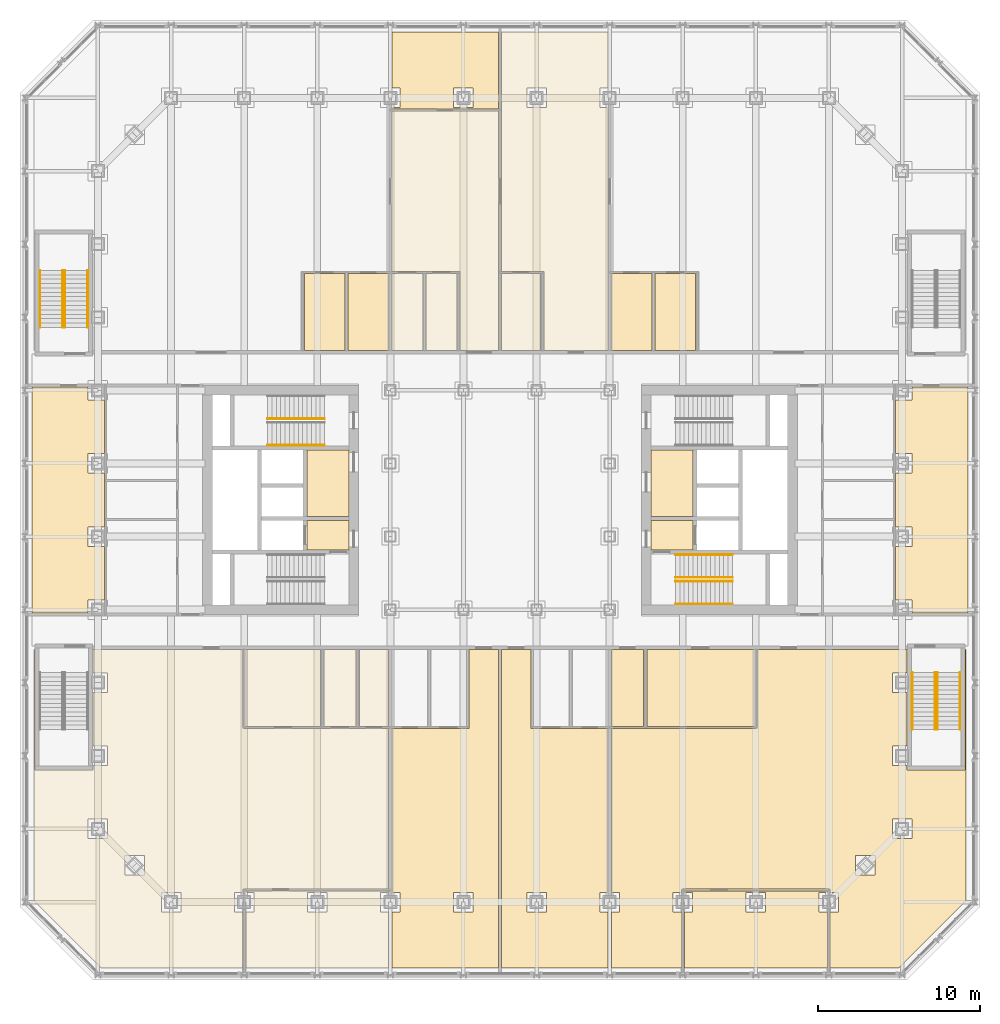
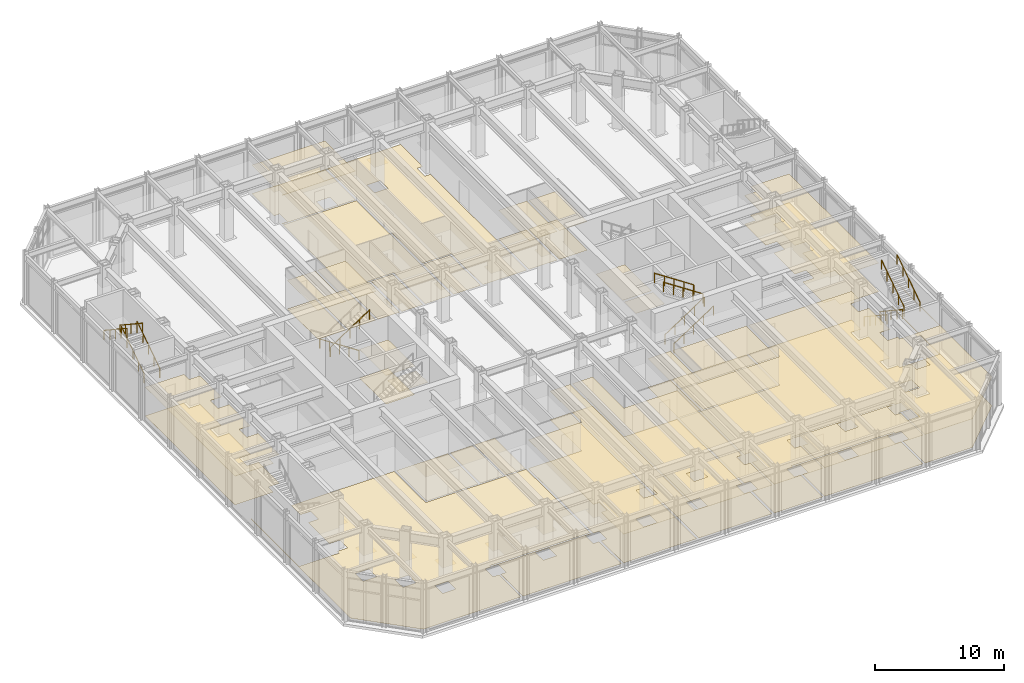
# One storey, part 18 of 19: 14 railings, 3 coverings.
"""IFC4 building model written with IfcOpenShell, lengths in metres."""

from ifc_helpers import new_model, si_unit, direction, frame, origin, origin_2d, place, context, subcontext, project, spatial, line, indexed_curve, circle, outline, extrude, material, layer, layer_set, type_object, element, save


model = new_model("IFC4")

# Units and contexts
model_context = context("Model", 3, precision=1e-05, world=origin(), true_north=direction((0.0, 1.0)))
body_context = subcontext(model_context, "Body", "Model", "MODEL_VIEW")
ifc_project = project(units=[si_unit("LENGTHUNIT", "METRE"), si_unit("AREAUNIT", "SQUARE_METRE"), si_unit("VOLUMEUNIT", "CUBIC_METRE"), si_unit("PLANEANGLEUNIT", "RADIAN"), si_unit("MASSUNIT", "GRAM", prefix="KILO")], contexts=[model_context])

# Site, building, storey
site_placement = place(None, origin())
site = spatial("IfcSite", under=ifc_project, at=site_placement, CompositionType="ELEMENT")
building_placement = place(site_placement, origin())
building = spatial("IfcBuilding", under=site, at=building_placement, Name="Msasa Ring Tower", CompositionType="ELEMENT")
storey_placement = place(building_placement, frame((0.0, 0.0, 11.0)))
storey = spatial("IfcBuildingStorey", under=building, at=storey_placement, Name="L02", CompositionType="ELEMENT", Elevation=11.0)

# Coverings
ifc_material_1 = material(Name="Gypsum plasterboard on a steel suspension grid", Category="steel")
ifc_layer_1 = layer(ifc_material_1, 0.014892578125)
ifc_layer_set_1 = layer_set([ifc_layer_1], Name="C1 SUSPENDED PLASTERBOARD CEILING 15")
covering_type_1 = type_object("IfcCoveringType", Name="C1 SUSPENDED PLASTERBOARD CEILING 15", PredefinedType="CEILING", material=ifc_layer_set_1)
covering_1_placement = place(storey_placement, frame((0.0, 0.0, 2.39990234375)))
element("IfcCovering", 1, at=covering_1_placement, inside=storey, type_object=covering_type_1, Name="Suspended Plasterboard Ceiling 15 circulation L02", PredefinedType="CEILING", context=body_context, shape_type="SweptSolid", body=[
    extrude(outline(indexed_curve([(-9.300537109375, -1.275390625), (-9.300537109375, -3.074462890625), (-11.87451171875, -3.074462890625), (-11.87451171875, -1.275390625)], segments=[line(1, 2, 3, 4, 1)], self_intersect=False)), origin(), (0.0, 0.0, 1.0), 0.01513671875),
    extrude(outline(indexed_curve([(11.87451171875, -3.074462890625), (9.300537109375, -3.074462890625), (9.300537109375, -1.275390625), (11.87451171875, -1.275390625)], segments=[line(1, 2, 3, 4, 1)], self_intersect=False)), origin(), (0.0, 0.0, 1.0), 0.01513671875),
    extrude(outline(indexed_curve([(11.87451171875, -1.0244140625), (9.300537109375, -1.0244140625), (9.300537109375, 3.074462890625), (11.87451171875, 3.074462890625)], segments=[line(1, 2, 3, 4, 1)], self_intersect=False)), origin(), (0.0, 0.0, 1.0), 0.01513671875),
])
ifc_material_2 = material(Name="Mineral fibre ceiling tiles on an exposed steel grid", Category="steel")
ifc_layer_2 = layer(ifc_material_2, 0.02001953125)
ifc_layer_set_2 = layer_set([ifc_layer_2], Name="C3 ACOUSTIC MINERAL FIBRE TILE CEILING 20")
covering_type_2 = type_object("IfcCoveringType", Name="C3 ACOUSTIC MINERAL FIBRE TILE CEILING 20", PredefinedType="CEILING", material=ifc_layer_set_2)
covering_2_placement = place(storey_placement, frame((0.0, 0.0, 2.699951171875)))
element("IfcCovering", 2, at=covering_2_placement, inside=storey, type_object=covering_type_2, Name="Acoustic Mineral Fibre Tile Ceiling 20 L02", PredefinedType="CEILING", context=body_context, shape_type="SweptSolid", body=[
    extrude(outline(indexed_curve([(-24.3505859375, 2.8505859375), (-25.3505859375, 2.8505859375), (-25.3505859375, 1.6494140625), (-24.3505859375, 1.6494140625), (-24.3505859375, -1.6494140625), (-25.3505859375, -1.6494140625), (-25.3505859375, -2.8505859375), (-24.3505859375, -2.8505859375), (-24.3505859375, -6.1494140625), (-25.3505859375, -6.1494140625), (-25.3505859375, -6.949462890625), (-28.799560546875, -6.949462890625), (-28.799560546875, 6.949462890625), (-25.3505859375, 6.949462890625), (-25.3505859375, 6.1494140625), (-24.3505859375, 6.1494140625)], segments=[line(1, 2, 3, 4, 5, 6, 7, 8, 9, 10, 11, 12, 13, 14, 15, 16, 1)], self_intersect=False)), origin(), (0.0, 0.0, 1.0), 0.02001953125),
    extrude(outline(indexed_curve([(-12.049560546875, 13.939453125), (-9.550537109375, 13.939453125), (-9.550537109375, 9.200439453125), (-12.049560546875, 9.200439453125)], segments=[line(1, 2, 3, 4, 1)], self_intersect=False)), origin(), (0.0, 0.0, 1.0), 0.02001953125),
    extrude(outline(indexed_curve([(-11.87451171875, 3.074462890625), (-9.300537109375, 3.074462890625), (-9.300537109375, -1.0244140625), (-11.87451171875, -1.0244140625)], segments=[line(1, 2, 3, 4, 1)], self_intersect=False)), origin(), (0.0, 0.0, 1.0), 0.02001953125),
    extrude(outline(indexed_curve([(-9.349609375, 13.939453125), (-6.8505859375, 13.939453125), (-6.8505859375, 9.200439453125), (-9.349609375, 9.200439453125)], segments=[line(1, 2, 3, 4, 1)], self_intersect=False)), origin(), (0.0, 0.0, 1.0), 0.02001953125),
    extrude(outline(indexed_curve([(-6.6494140625, 24.060546875), (-6.6494140625, 24.1494140625), (-6.1494140625, 24.1494140625), (-6.1494140625, 25.3505859375), (-6.6494140625, 25.3505859375), (-6.6494140625, 28.799560546875), (-0.1005859375, 28.799560546875), (-0.1005859375, 24.060546875)], segments=[line(1, 2, 3, 4, 5, 6, 7, 8, 1)], self_intersect=False), holes=[indexed_curve([(-1.6494140625, 24.1494140625), (-1.6494140625, 25.3505859375), (-2.8505859375, 25.3505859375), (-2.8505859375, 24.1494140625)], segments=[line(1, 2, 3, 4, 1)], self_intersect=False)]), origin(), (0.0, 0.0, 1.0), 0.02001953125),
    extrude(outline(indexed_curve([(-6.6494140625, -28.799560546875), (-6.6494140625, -25.3505859375), (-6.1494140625, -25.3505859375), (-6.1494140625, -24.1494140625), (-6.6494140625, -24.1494140625), (-6.6494140625, -14.060546875), (-1.8994140625, -14.060546875), (-1.8994140625, -9.200439453125), (-0.1005859375, -9.200439453125), (-0.1005859375, -28.799560546875)], segments=[line(1, 2, 3, 4, 5, 6, 7, 8, 9, 10, 1)], self_intersect=False), holes=[indexed_curve([(-1.6494140625, -25.3505859375), (-1.6494140625, -24.1494140625), (-2.8505859375, -24.1494140625), (-2.8505859375, -25.3505859375)], segments=[line(1, 2, 3, 4, 1)], self_intersect=False)]), origin(), (0.0, 0.0, 1.0), 0.02001953125),
    extrude(outline(indexed_curve([(0.1005859375, -9.200439453125), (1.8994140625, -9.200439453125), (1.8994140625, -14.060546875), (6.6494140625, -14.060546875), (6.6494140625, -24.1494140625), (6.1494140625, -24.1494140625), (6.1494140625, -25.3505859375), (6.6494140625, -25.3505859375), (6.6494140625, -28.799560546875), (0.1005859375, -28.799560546875)], segments=[line(1, 2, 3, 4, 5, 6, 7, 8, 9, 10, 1)], self_intersect=False), holes=[indexed_curve([(2.8505859375, -25.3505859375), (2.8505859375, -24.1494140625), (1.6494140625, -24.1494140625), (1.6494140625, -25.3505859375)], segments=[line(1, 2, 3, 4, 1)], self_intersect=False)]), origin(), (0.0, 0.0, 1.0), 0.02001953125),
    extrude(outline(indexed_curve([(6.8505859375, 13.939453125), (9.349609375, 13.939453125), (9.349609375, 9.200439453125), (6.8505859375, 9.200439453125)], segments=[line(1, 2, 3, 4, 1)], self_intersect=False)), origin(), (0.0, 0.0, 1.0), 0.02001953125),
    extrude(outline(indexed_curve([(15.8505859375, -14.060546875), (15.8505859375, -9.200439453125), (25.069580078125, -9.200439453125), (25.069580078125, -10.6494140625), (24.1494140625, -10.6494140625), (24.1494140625, -11.8505859375), (25.069580078125, -11.8505859375), (25.069580078125, -15.1494140625), (24.1494140625, -15.1494140625), (24.1494140625, -16.3505859375), (25.069580078125, -16.3505859375), (25.069580078125, -16.630615234375), (28.630615234375, -16.630615234375), (28.630615234375, -9.200439453125), (28.699462890625, -9.200439453125), (28.699462890625, -24.663330078125), (24.5634765625, -28.799560546875), (20.310546875, -28.799560546875), (20.310546875, -25.3505859375), (20.8505859375, -25.3505859375), (20.8505859375, -24.1494140625), (20.310546875, -24.1494140625), (20.310546875, -23.939453125), (11.189453125, -23.939453125), (11.189453125, -24.1494140625), (10.6494140625, -24.1494140625), (10.6494140625, -25.3505859375), (11.189453125, -25.3505859375), (11.189453125, -28.799560546875), (6.8505859375, -28.799560546875), (6.8505859375, -25.3505859375), (7.3505859375, -25.3505859375), (7.3505859375, -24.1494140625), (6.8505859375, -24.1494140625), (6.8505859375, -14.060546875)], segments=[line(1, 2, 3, 4, 5, 6, 7, 8, 9, 10, 11, 12, 13, 14, 15, 16, 17, 18, 19, 20, 21, 22, 23, 24, 25, 26, 27, 28, 29, 30, 31, 32, 33, 34, 35, 1)], self_intersect=False), holes=[indexed_curve([(23.1005859375, -23.1005859375), (23.1005859375, -21.8994140625), (21.8994140625, -21.8994140625), (21.8994140625, -23.1005859375)], segments=[line(1, 2, 3, 4, 1)], self_intersect=False), indexed_curve([(25.3505859375, -20.8505859375), (25.3505859375, -19.6494140625), (24.1494140625, -19.6494140625), (24.1494140625, -20.8505859375)], segments=[line(1, 2, 3, 4, 1)], self_intersect=False)]), origin(), (0.0, 0.0, 1.0), 0.02001953125),
    extrude(outline(indexed_curve([(8.849609375, -9.200439453125), (8.849609375, -13.939453125), (6.8505859375, -13.939453125), (6.8505859375, -9.200439453125)], segments=[line(1, 2, 3, 4, 1)], self_intersect=False)), origin(), (0.0, 0.0, 1.0), 0.02001953125),
    extrude(outline(indexed_curve([(9.050537109375, -9.200439453125), (15.6494140625, -9.200439453125), (15.6494140625, -13.939453125), (9.050537109375, -13.939453125)], segments=[line(1, 2, 3, 4, 1)], self_intersect=False)), origin(), (0.0, 0.0, 1.0), 0.02001953125),
    extrude(outline(indexed_curve([(9.550537109375, 13.939453125), (12.049560546875, 13.939453125), (12.049560546875, 9.200439453125), (9.550537109375, 9.200439453125)], segments=[line(1, 2, 3, 4, 1)], self_intersect=False)), origin(), (0.0, 0.0, 1.0), 0.02001953125),
    extrude(outline(indexed_curve([(11.3505859375, -25.3505859375), (11.8505859375, -25.3505859375), (11.8505859375, -24.1494140625), (11.3505859375, -24.1494140625), (11.3505859375, -24.060546875), (20.1494140625, -24.060546875), (20.1494140625, -24.1494140625), (19.6494140625, -24.1494140625), (19.6494140625, -25.3505859375), (20.1494140625, -25.3505859375), (20.1494140625, -28.799560546875), (11.3505859375, -28.799560546875)], segments=[line(1, 2, 3, 4, 5, 6, 7, 8, 9, 10, 11, 12, 1)], self_intersect=False), holes=[indexed_curve([(16.3505859375, -25.3505859375), (16.3505859375, -24.1494140625), (15.1494140625, -24.1494140625), (15.1494140625, -25.3505859375)], segments=[line(1, 2, 3, 4, 1)], self_intersect=False)]), origin(), (0.0, 0.0, 1.0), 0.02001953125),
    extrude(outline(indexed_curve([(24.3505859375, -2.8505859375), (25.3505859375, -2.8505859375), (25.3505859375, -1.6494140625), (24.3505859375, -1.6494140625), (24.3505859375, 1.6494140625), (25.3505859375, 1.6494140625), (25.3505859375, 2.8505859375), (24.3505859375, 2.8505859375), (24.3505859375, 6.1494140625), (25.3505859375, 6.1494140625), (25.3505859375, 6.949462890625), (28.799560546875, 6.949462890625), (28.799560546875, -6.949462890625), (25.3505859375, -6.949462890625), (25.3505859375, -6.1494140625), (24.3505859375, -6.1494140625)], segments=[line(1, 2, 3, 4, 5, 6, 7, 8, 9, 10, 11, 12, 13, 14, 15, 16, 1)], self_intersect=False)), origin(), (0.0, 0.0, 1.0), 0.02001953125),
])
ifc_material_3 = material(Name="Welded vinyl safety sheet flooring", Category="vinyl")
ifc_layer_3 = layer(ifc_material_3, 0.0029296875)
ifc_layer_set_3 = layer_set([ifc_layer_3], Name="F5 RESILIENT SHEET FLOORING 3")
covering_type_3 = type_object("IfcCoveringType", Name="F5 RESILIENT SHEET FLOORING 3", PredefinedType="FLOORING", material=ifc_layer_set_3)
covering_3_placement = place(storey_placement, origin())
element("IfcCovering", 3, at=covering_3_placement, inside=storey, type_object=covering_type_3, Name="Resilient Sheet Flooring 3 L02", PredefinedType="FLOORING", context=body_context, shape_type="SweptSolid", body=[
    extrude(outline(indexed_curve([(-28.799560546875, 6.949462890625), (-25.3505859375, 6.949462890625), (-25.3505859375, 6.1494140625), (-24.3505859375, 6.1494140625), (-24.3505859375, 2.8505859375), (-25.3505859375, 2.8505859375), (-25.3505859375, 1.6494140625), (-24.3505859375, 1.6494140625), (-24.3505859375, -1.6494140625), (-25.3505859375, -1.6494140625), (-25.3505859375, -2.8505859375), (-24.3505859375, -2.8505859375), (-24.3505859375, -6.1494140625), (-25.3505859375, -6.1494140625), (-25.3505859375, -6.949462890625), (-28.799560546875, -6.949462890625)], segments=[line(1, 2, 3, 4, 5, 6, 7, 8, 9, 10, 11, 12, 13, 14, 15, 16, 1)], self_intersect=False)), origin(), (0.0, 0.0, 1.0), 0.0029296875),
    extrude(outline(indexed_curve([(-6.8505859375, -14.060546875), (-6.8505859375, -23.939453125), (-15.810546875, -23.939453125), (-15.810546875, -24.1494140625), (-16.3505859375, -24.1494140625), (-16.3505859375, -25.3505859375), (-15.810546875, -25.3505859375), (-15.810546875, -28.799560546875), (-24.5634765625, -28.799560546875), (-28.699462890625, -24.663330078125), (-28.699462890625, -9.200439453125), (-28.630615234375, -9.200439453125), (-28.630615234375, -16.630615234375), (-25.069580078125, -16.630615234375), (-25.069580078125, -16.3505859375), (-24.1494140625, -16.3505859375), (-24.1494140625, -15.1494140625), (-25.069580078125, -15.1494140625), (-25.069580078125, -11.8505859375), (-24.1494140625, -11.8505859375), (-24.1494140625, -10.6494140625), (-25.069580078125, -10.6494140625), (-25.069580078125, -9.200439453125), (-15.8505859375, -9.200439453125), (-15.8505859375, -14.060546875)], segments=[line(1, 2, 3, 4, 5, 6, 7, 8, 9, 10, 11, 12, 13, 14, 15, 16, 17, 18, 19, 20, 21, 22, 23, 24, 25, 1)], self_intersect=False), holes=[indexed_curve([(-19.6494140625, -25.3505859375), (-19.6494140625, -24.1494140625), (-20.8505859375, -24.1494140625), (-20.8505859375, -25.3505859375)], segments=[line(1, 2, 3, 4, 1)], self_intersect=False), indexed_curve([(-21.8994140625, -23.1005859375), (-21.8994140625, -21.8994140625), (-23.1005859375, -21.8994140625), (-23.1005859375, -23.1005859375)], segments=[line(1, 2, 3, 4, 1)], self_intersect=False), indexed_curve([(-25.3505859375, -20.8505859375), (-24.1494140625, -20.8505859375), (-24.1494140625, -19.6494140625), (-25.3505859375, -19.6494140625)], segments=[line(1, 2, 3, 4, 1)], self_intersect=False)]), origin(), (0.0, 0.0, 1.0), 0.0029296875),
    extrude(outline(indexed_curve([(-15.6494140625, -28.799560546875), (-15.6494140625, -25.3505859375), (-15.1494140625, -25.3505859375), (-15.1494140625, -24.1494140625), (-15.6494140625, -24.1494140625), (-15.6494140625, -24.060546875), (-6.8505859375, -24.060546875), (-6.8505859375, -24.1494140625), (-7.3505859375, -24.1494140625), (-7.3505859375, -25.3505859375), (-6.8505859375, -25.3505859375), (-6.8505859375, -28.799560546875)], segments=[line(1, 2, 3, 4, 5, 6, 7, 8, 9, 10, 11, 12, 1)], self_intersect=False), holes=[indexed_curve([(-11.8505859375, -25.3505859375), (-10.6494140625, -25.3505859375), (-10.6494140625, -24.1494140625), (-11.8505859375, -24.1494140625)], segments=[line(1, 2, 3, 4, 1)], self_intersect=False)]), origin(), (0.0, 0.0, 1.0), 0.0029296875),
    extrude(outline(indexed_curve([(-11.050537109375, -13.939453125), (-15.6494140625, -13.939453125), (-15.6494140625, -9.200439453125), (-11.050537109375, -9.200439453125)], segments=[line(1, 2, 3, 4, 1)], self_intersect=False)), origin(), (0.0, 0.0, 1.0), 0.0029296875),
    extrude(outline(indexed_curve([(-9.550537109375, 9.200439453125), (-12.049560546875, 9.200439453125), (-12.049560546875, 13.939453125), (-9.550537109375, 13.939453125)], segments=[line(1, 2, 3, 4, 1)], self_intersect=False)), origin(), (0.0, 0.0, 1.0), 0.0029296875),
    extrude(outline(indexed_curve([(-9.300537109375, 3.074462890625), (-9.300537109375, -1.0244140625), (-11.87451171875, -1.0244140625), (-11.87451171875, 3.074462890625)], segments=[line(1, 2, 3, 4, 1)], self_intersect=False)), origin(), (0.0, 0.0, 1.0), 0.0029296875),
    extrude(outline(indexed_curve([(-8.8505859375, -9.200439453125), (-8.8505859375, -13.939453125), (-10.849609375, -13.939453125), (-10.849609375, -9.200439453125)], segments=[line(1, 2, 3, 4, 1)], self_intersect=False)), origin(), (0.0, 0.0, 1.0), 0.0029296875),
    extrude(outline(indexed_curve([(-6.8505859375, 9.200439453125), (-9.349609375, 9.200439453125), (-9.349609375, 13.939453125), (-6.8505859375, 13.939453125)], segments=[line(1, 2, 3, 4, 1)], self_intersect=False)), origin(), (0.0, 0.0, 1.0), 0.0029296875),
    extrude(outline(indexed_curve([(-8.6494140625, -13.939453125), (-8.6494140625, -9.200439453125), (-6.8505859375, -9.200439453125), (-6.8505859375, -13.939453125)], segments=[line(1, 2, 3, 4, 1)], self_intersect=False)), origin(), (0.0, 0.0, 1.0), 0.0029296875),
    extrude(outline(indexed_curve([(-2.449462890625, 14.060546875), (-6.6494140625, 14.060546875), (-6.6494140625, 23.939453125), (-0.1005859375, 23.939453125), (-0.1005859375, 9.200439453125), (-2.449462890625, 9.200439453125)], segments=[line(1, 2, 3, 4, 5, 6, 1)], self_intersect=False)), origin(), (0.0, 0.0, 1.0), 0.0029296875),
    extrude(outline(indexed_curve([(-4.75048828125, 13.939453125), (-4.75048828125, 9.200439453125), (-6.6494140625, 9.200439453125), (-6.6494140625, 13.939453125)], segments=[line(1, 2, 3, 4, 1)], self_intersect=False)), origin(), (0.0, 0.0, 1.0), 0.0029296875),
    extrude(outline(indexed_curve([(-0.1005859375, 28.799560546875), (-0.1005859375, 24.060546875), (-6.6494140625, 24.060546875), (-6.6494140625, 24.1494140625), (-6.1494140625, 24.1494140625), (-6.1494140625, 25.3505859375), (-6.6494140625, 25.3505859375), (-6.6494140625, 28.799560546875)], segments=[line(1, 2, 3, 4, 5, 6, 7, 8, 1)], self_intersect=False), holes=[indexed_curve([(-1.6494140625, 24.1494140625), (-1.6494140625, 25.3505859375), (-2.8505859375, 25.3505859375), (-2.8505859375, 24.1494140625)], segments=[line(1, 2, 3, 4, 1)], self_intersect=False)]), origin(), (0.0, 0.0, 1.0), 0.0029296875),
    extrude(outline(indexed_curve([(-1.8994140625, -9.200439453125), (-0.1005859375, -9.200439453125), (-0.1005859375, -28.799560546875), (-6.6494140625, -28.799560546875), (-6.6494140625, -25.3505859375), (-6.1494140625, -25.3505859375), (-6.1494140625, -24.1494140625), (-6.6494140625, -24.1494140625), (-6.6494140625, -14.060546875), (-1.8994140625, -14.060546875)], segments=[line(1, 2, 3, 4, 5, 6, 7, 8, 9, 10, 1)], self_intersect=False), holes=[indexed_curve([(-2.8505859375, -25.3505859375), (-1.6494140625, -25.3505859375), (-1.6494140625, -24.1494140625), (-2.8505859375, -24.1494140625)], segments=[line(1, 2, 3, 4, 1)], self_intersect=False)]), origin(), (0.0, 0.0, 1.0), 0.0029296875),
    extrude(outline(indexed_curve([(-2.650390625, 9.200439453125), (-4.549560546875, 9.200439453125), (-4.549560546875, 13.939453125), (-2.650390625, 13.939453125)], segments=[line(1, 2, 3, 4, 1)], self_intersect=False)), origin(), (0.0, 0.0, 1.0), 0.0029296875),
    extrude(outline(indexed_curve([(1.8994140625, -14.060546875), (6.6494140625, -14.060546875), (6.6494140625, -24.1494140625), (6.1494140625, -24.1494140625), (6.1494140625, -25.3505859375), (6.6494140625, -25.3505859375), (6.6494140625, -28.799560546875), (0.1005859375, -28.799560546875), (0.1005859375, -9.200439453125), (1.8994140625, -9.200439453125)], segments=[line(1, 2, 3, 4, 5, 6, 7, 8, 9, 10, 1)], self_intersect=False), holes=[indexed_curve([(1.6494140625, -25.3505859375), (2.8505859375, -25.3505859375), (2.8505859375, -24.1494140625), (1.6494140625, -24.1494140625)], segments=[line(1, 2, 3, 4, 1)], self_intersect=False)]), origin(), (0.0, 0.0, 1.0), 0.0029296875),
    extrude(outline(indexed_curve([(2.700439453125, 9.200439453125), (2.700439453125, 14.060546875), (0.1005859375, 14.060546875), (0.1005859375, 28.799560546875), (6.6494140625, 28.799560546875), (6.6494140625, 25.3505859375), (6.1494140625, 25.3505859375), (6.1494140625, 24.1494140625), (6.6494140625, 24.1494140625), (6.6494140625, 9.200439453125)], segments=[line(1, 2, 3, 4, 5, 6, 7, 8, 9, 10, 1)], self_intersect=False), holes=[indexed_curve([(2.8505859375, 24.1494140625), (2.8505859375, 25.3505859375), (1.6494140625, 25.3505859375), (1.6494140625, 24.1494140625)], segments=[line(1, 2, 3, 4, 1)], self_intersect=False)]), origin(), (0.0, 0.0, 1.0), 0.0029296875),
    extrude(outline(indexed_curve([(2.49951171875, 9.200439453125), (0.1005859375, 9.200439453125), (0.1005859375, 13.939453125), (2.49951171875, 13.939453125)], segments=[line(1, 2, 3, 4, 1)], self_intersect=False)), origin(), (0.0, 0.0, 1.0), 0.0029296875),
    extrude(outline(indexed_curve([(9.349609375, 9.200439453125), (6.8505859375, 9.200439453125), (6.8505859375, 13.939453125), (9.349609375, 13.939453125)], segments=[line(1, 2, 3, 4, 1)], self_intersect=False)), origin(), (0.0, 0.0, 1.0), 0.0029296875),
    extrude(outline(indexed_curve([(15.8505859375, -9.200439453125), (25.069580078125, -9.200439453125), (25.069580078125, -10.6494140625), (24.1494140625, -10.6494140625), (24.1494140625, -11.8505859375), (25.069580078125, -11.8505859375), (25.069580078125, -15.1494140625), (24.1494140625, -15.1494140625), (24.1494140625, -16.3505859375), (25.069580078125, -16.3505859375), (25.069580078125, -16.630615234375), (28.630615234375, -16.630615234375), (28.630615234375, -9.200439453125), (28.699462890625, -9.200439453125), (28.699462890625, -24.663330078125), (24.5634765625, -28.799560546875), (20.310546875, -28.799560546875), (20.310546875, -25.3505859375), (20.8505859375, -25.3505859375), (20.8505859375, -24.1494140625), (20.310546875, -24.1494140625), (20.310546875, -23.939453125), (11.189453125, -23.939453125), (11.189453125, -24.1494140625), (10.6494140625, -24.1494140625), (10.6494140625, -25.3505859375), (11.189453125, -25.3505859375), (11.189453125, -28.799560546875), (6.8505859375, -28.799560546875), (6.8505859375, -25.3505859375), (7.3505859375, -25.3505859375), (7.3505859375, -24.1494140625), (6.8505859375, -24.1494140625), (6.8505859375, -14.060546875), (15.8505859375, -14.060546875)], segments=[line(1, 2, 3, 4, 5, 6, 7, 8, 9, 10, 11, 12, 13, 14, 15, 16, 17, 18, 19, 20, 21, 22, 23, 24, 25, 26, 27, 28, 29, 30, 31, 32, 33, 34, 35, 1)], self_intersect=False), holes=[indexed_curve([(23.1005859375, -23.1005859375), (23.1005859375, -21.8994140625), (21.8994140625, -21.8994140625), (21.8994140625, -23.1005859375)], segments=[line(1, 2, 3, 4, 1)], self_intersect=False), indexed_curve([(25.3505859375, -20.8505859375), (25.3505859375, -19.6494140625), (24.1494140625, -19.6494140625), (24.1494140625, -20.8505859375)], segments=[line(1, 2, 3, 4, 1)], self_intersect=False)]), origin(), (0.0, 0.0, 1.0), 0.0029296875),
    extrude(outline(indexed_curve([(8.849609375, -13.939453125), (6.8505859375, -13.939453125), (6.8505859375, -9.200439453125), (8.849609375, -9.200439453125)], segments=[line(1, 2, 3, 4, 1)], self_intersect=False)), origin(), (0.0, 0.0, 1.0), 0.0029296875),
    extrude(outline(indexed_curve([(15.6494140625, -13.939453125), (9.050537109375, -13.939453125), (9.050537109375, -9.200439453125), (15.6494140625, -9.200439453125)], segments=[line(1, 2, 3, 4, 1)], self_intersect=False)), origin(), (0.0, 0.0, 1.0), 0.0029296875),
    extrude(outline(indexed_curve([(12.049560546875, 13.939453125), (12.049560546875, 9.200439453125), (9.550537109375, 9.200439453125), (9.550537109375, 13.939453125)], segments=[line(1, 2, 3, 4, 1)], self_intersect=False)), origin(), (0.0, 0.0, 1.0), 0.0029296875),
    extrude(outline(indexed_curve([(20.1494140625, -24.1494140625), (19.6494140625, -24.1494140625), (19.6494140625, -25.3505859375), (20.1494140625, -25.3505859375), (20.1494140625, -28.799560546875), (11.3505859375, -28.799560546875), (11.3505859375, -25.3505859375), (11.8505859375, -25.3505859375), (11.8505859375, -24.1494140625), (11.3505859375, -24.1494140625), (11.3505859375, -24.060546875), (20.1494140625, -24.060546875)], segments=[line(1, 2, 3, 4, 5, 6, 7, 8, 9, 10, 11, 12, 1)], self_intersect=False), holes=[indexed_curve([(15.1494140625, -25.3505859375), (16.3505859375, -25.3505859375), (16.3505859375, -24.1494140625), (15.1494140625, -24.1494140625)], segments=[line(1, 2, 3, 4, 1)], self_intersect=False)]), origin(), (0.0, 0.0, 1.0), 0.0029296875),
    extrude(outline(indexed_curve([(24.3505859375, -2.8505859375), (25.3505859375, -2.8505859375), (25.3505859375, -1.6494140625), (24.3505859375, -1.6494140625), (24.3505859375, 1.6494140625), (25.3505859375, 1.6494140625), (25.3505859375, 2.8505859375), (24.3505859375, 2.8505859375), (24.3505859375, 6.1494140625), (25.3505859375, 6.1494140625), (25.3505859375, 6.949462890625), (28.799560546875, 6.949462890625), (28.799560546875, -6.949462890625), (25.3505859375, -6.949462890625), (25.3505859375, -6.1494140625), (24.3505859375, -6.1494140625)], segments=[line(1, 2, 3, 4, 5, 6, 7, 8, 9, 10, 11, 12, 13, 14, 15, 16, 1)], self_intersect=False)), origin(), (0.0, 0.0, 1.0), 0.0029296875),
])

# Railings
ifc_material_4 = material(Name="Stainless steel", Category="steel")
railing_type = type_object("IfcRailingType", Name="HR1 HANDRAIL 900", PredefinedType="HANDRAIL", material=ifc_material_4)
for number, where, name in (
    (4, (10.800048828125, -6.39990234375, 0.178466796875), "Handrail stair SEA L02 1"),
    (5, (10.800048828125, -5.0, 0.178466796875), "Handrail stair SEA L02 2"),
):
    element("IfcRailing", number, at=place(storey_placement, frame(where)), inside=storey, type_object=railing_type, Name=name, PredefinedType="HANDRAIL", context=body_context, shape_type="SweptSolid", body=[
        extrude(circle(Radius=0.02392578125, at=origin_2d()), frame((0.0, 0.0, 0.8759765625), z_axis=(0.834070780157, 0.0, 0.551657442339), x_axis=(0.0, 1.0, 0.0)), (0.0, 0.0, 1.0), 4.208251953125),
        extrude(circle(Radius=0.02099609375, at=origin_2d()), origin(), (0.0, 0.0, 1.0), 0.851806640625),
        extrude(circle(Radius=0.02099609375, at=origin_2d()), frame((0.87744140625, 0.0, 0.580322265625)), (0.0, 0.0, 1.0), 0.851806640625),
        extrude(circle(Radius=0.02099609375, at=origin_2d()), frame((1.7548828125, 0.0, 1.16064453125)), (0.0, 0.0, 1.0), 0.851806640625),
        extrude(circle(Radius=0.02099609375, at=origin_2d()), frame((2.632568359375, 0.0, 1.7412109375)), (0.0, 0.0, 1.0), 0.851806640625),
        extrude(circle(Radius=0.02099609375, at=origin_2d()), frame((3.510009765625, 0.0, 2.321533203125)), (0.0, 0.0, 1.0), 0.851806640625),
    ])
for number, where, name in (
    (6, (14.31005859375, -4.77490234375, 2.678466796875), "Handrail stair SEA L02 3"),
    (7, (14.31005859375, -3.375, 2.678466796875), "Handrail stair SEA L02 4"),
    (8, (-10.800048828125, 5.0, 0.178466796875), "Handrail stair SWB L02 1"),
):
    element("IfcRailing", number, at=place(storey_placement, frame(where)), inside=storey, type_object=railing_type, Name=name, PredefinedType="HANDRAIL", context=body_context, shape_type="SweptSolid", body=[
        extrude(circle(Radius=0.02392578125, at=origin_2d()), frame((0.0, 0.0, 0.8759765625), z_axis=(-0.834070780157, 0.0, 0.551657442339), x_axis=(0.0, -1.0, 0.0)), (0.0, 0.0, 1.0), 4.208251953125),
        extrude(circle(Radius=0.02099609375, at=origin_2d()), origin(), (0.0, 0.0, 1.0), 0.851806640625),
        extrude(circle(Radius=0.02099609375, at=origin_2d()), frame((-0.87744140625, 0.0, 0.580322265625)), (0.0, 0.0, 1.0), 0.851806640625),
        extrude(circle(Radius=0.02099609375, at=origin_2d()), frame((-1.7548828125, 0.0, 1.16064453125)), (0.0, 0.0, 1.0), 0.851806640625),
        extrude(circle(Radius=0.02099609375, at=origin_2d()), frame((-2.632568359375, 0.0, 1.7412109375)), (0.0, 0.0, 1.0), 0.851806640625),
        extrude(circle(Radius=0.02099609375, at=origin_2d()), frame((-3.510009765625, 0.0, 2.321533203125)), (0.0, 0.0, 1.0), 0.851806640625),
    ])
railing_placement = place(storey_placement, frame((-14.31005859375, 3.375, 2.678466796875)))
element("IfcRailing", 9, at=railing_placement, inside=storey, type_object=railing_type, Name="Handrail stair SWB L02 3", PredefinedType="HANDRAIL", context=body_context, shape_type="SweptSolid", body=[
    extrude(circle(Radius=0.02392578125, at=origin_2d()), frame((0.0, 0.0, 0.8759765625), z_axis=(0.834070780157, 0.0, 0.551657442339), x_axis=(0.0, 1.0, 0.0)), (0.0, 0.0, 1.0), 4.208251953125),
    extrude(circle(Radius=0.02099609375, at=origin_2d()), origin(), (0.0, 0.0, 1.0), 0.851806640625),
    extrude(circle(Radius=0.02099609375, at=origin_2d()), frame((0.87744140625, 0.0, 0.580322265625)), (0.0, 0.0, 1.0), 0.851806640625),
    extrude(circle(Radius=0.02099609375, at=origin_2d()), frame((1.7548828125, 0.0, 1.16064453125)), (0.0, 0.0, 1.0), 0.851806640625),
    extrude(circle(Radius=0.02099609375, at=origin_2d()), frame((2.632568359375, 0.0, 1.7412109375)), (0.0, 0.0, 1.0), 0.851806640625),
    extrude(circle(Radius=0.02099609375, at=origin_2d()), frame((3.510009765625, 0.0, 2.321533203125)), (0.0, 0.0, 1.0), 0.851806640625),
])
for number, where, name in (
    (10, (25.375, -10.625, 0.178466796875), "Handrail podium stair PES L02 1"),
    (11, (26.77490234375, -10.625, 0.178466796875), "Handrail podium stair PES L02 2"),
):
    element("IfcRailing", number, at=place(storey_placement, frame(where)), inside=storey, type_object=railing_type, Name=name, PredefinedType="HANDRAIL", context=body_context, shape_type="SweptSolid", body=[
        extrude(circle(Radius=0.02392578125, at=origin_2d()), frame((0.0, 0.0, 0.8759765625), z_axis=(0.0, -0.834070780157, 0.551657442339), x_axis=(1.0, 0.0, 0.0)), (0.0, 0.0, 1.0), 4.208251953125),
        extrude(circle(Radius=0.02099609375, at=origin_2d()), origin(), (0.0, 0.0, 1.0), 0.851806640625),
        extrude(circle(Radius=0.02099609375, at=origin_2d()), frame((0.0, -0.87744140625, 0.580322265625)), (0.0, 0.0, 1.0), 0.851806640625),
        extrude(circle(Radius=0.02099609375, at=origin_2d()), frame((0.0, -1.7548828125, 1.16064453125)), (0.0, 0.0, 1.0), 0.851806640625),
        extrude(circle(Radius=0.02099609375, at=origin_2d()), frame((0.0, -2.632568359375, 1.7412109375)), (0.0, 0.0, 1.0), 0.851806640625),
        extrude(circle(Radius=0.02099609375, at=origin_2d()), frame((0.0, -3.510009765625, 2.321533203125)), (0.0, 0.0, 1.0), 0.851806640625),
    ])
for number, where, name in (
    (12, (26.925048828125, -14.135009765625, 2.678466796875), "Handrail podium stair PES L02 3"),
    (13, (28.324951171875, -14.135009765625, 2.678466796875), "Handrail podium stair PES L02 4"),
    (14, (-26.77490234375, 10.625, 0.178466796875), "Handrail podium stair PWN L02 1"),
    (15, (-25.375, 10.625, 0.178466796875), "Handrail podium stair PWN L02 2"),
):
    element("IfcRailing", number, at=place(storey_placement, frame(where)), inside=storey, type_object=railing_type, Name=name, PredefinedType="HANDRAIL", context=body_context, shape_type="SweptSolid", body=[
        extrude(circle(Radius=0.02392578125, at=origin_2d()), frame((0.0, 0.0, 0.8759765625), z_axis=(0.0, 0.834070780157, 0.551657442339), x_axis=(-1.0, 0.0, 0.0)), (0.0, 0.0, 1.0), 4.208251953125),
        extrude(circle(Radius=0.02099609375, at=origin_2d()), origin(), (0.0, 0.0, 1.0), 0.851806640625),
        extrude(circle(Radius=0.02099609375, at=origin_2d()), frame((0.0, 0.87744140625, 0.580322265625)), (0.0, 0.0, 1.0), 0.851806640625),
        extrude(circle(Radius=0.02099609375, at=origin_2d()), frame((0.0, 1.7548828125, 1.16064453125)), (0.0, 0.0, 1.0), 0.851806640625),
        extrude(circle(Radius=0.02099609375, at=origin_2d()), frame((0.0, 2.632568359375, 1.7412109375)), (0.0, 0.0, 1.0), 0.851806640625),
        extrude(circle(Radius=0.02099609375, at=origin_2d()), frame((0.0, 3.510009765625, 2.321533203125)), (0.0, 0.0, 1.0), 0.851806640625),
    ])
for number, where, name in (
    (16, (-28.324951171875, 14.135009765625, 2.678466796875), "Handrail podium stair PWN L02 3"),
    (17, (-26.925048828125, 14.135009765625, 2.678466796875), "Handrail podium stair PWN L02 4"),
):
    element("IfcRailing", number, at=place(storey_placement, frame(where)), inside=storey, type_object=railing_type, Name=name, PredefinedType="HANDRAIL", context=body_context, shape_type="SweptSolid", body=[
        extrude(circle(Radius=0.02392578125, at=origin_2d()), frame((0.0, 0.0, 0.8759765625), z_axis=(0.0, -0.834070780157, 0.551657442339), x_axis=(1.0, 0.0, 0.0)), (0.0, 0.0, 1.0), 4.208251953125),
        extrude(circle(Radius=0.02099609375, at=origin_2d()), origin(), (0.0, 0.0, 1.0), 0.851806640625),
        extrude(circle(Radius=0.02099609375, at=origin_2d()), frame((0.0, -0.87744140625, 0.580322265625)), (0.0, 0.0, 1.0), 0.851806640625),
        extrude(circle(Radius=0.02099609375, at=origin_2d()), frame((0.0, -1.7548828125, 1.16064453125)), (0.0, 0.0, 1.0), 0.851806640625),
        extrude(circle(Radius=0.02099609375, at=origin_2d()), frame((0.0, -2.632568359375, 1.7412109375)), (0.0, 0.0, 1.0), 0.851806640625),
        extrude(circle(Radius=0.02099609375, at=origin_2d()), frame((0.0, -3.510009765625, 2.321533203125)), (0.0, 0.0, 1.0), 0.851806640625),
    ])

save(model, "model.ifc")
